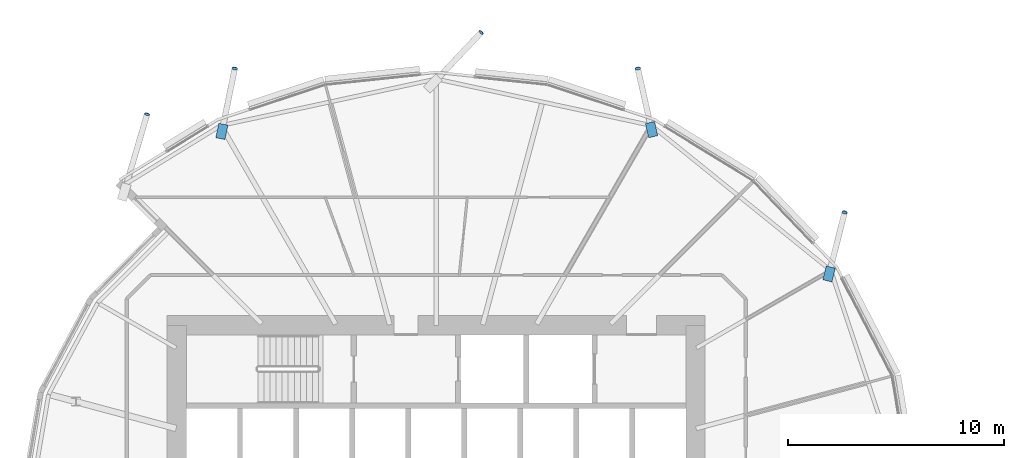
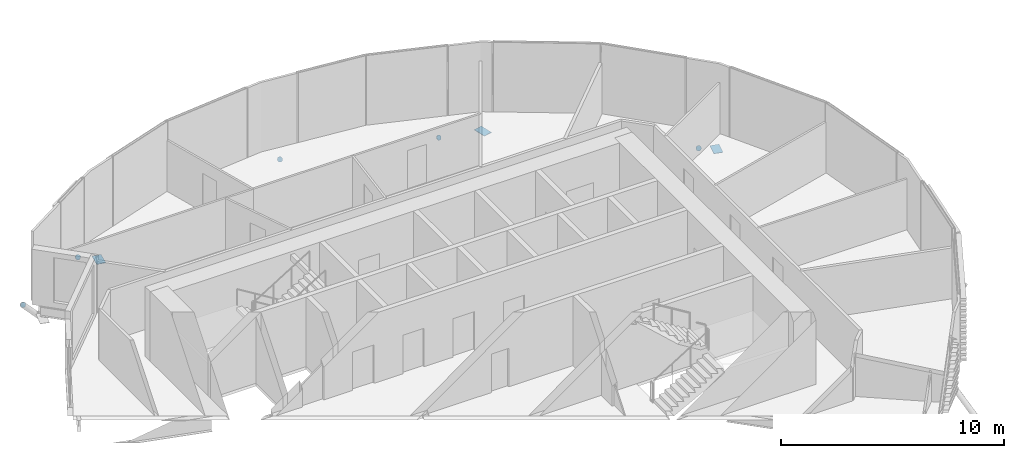
# One storey, part 28 of 36: 8 discrete accessories.
"""IFC4 building model written with IfcOpenShell, lengths in metres."""

import ifcopenshell
import ifcopenshell.guid

model = None  # the IFC model being written
_history = None  # IfcOwnerHistory: only IFC2X3 demands one
_inside = {}  # id of a spatial element -> (the spatial element, [elements in it])
_under = {}  # id of a project, library or spatial element -> (it, [spatial elements below it])
_declared = {}  # id of a project -> (the project, [libraries it declares])
_typed = {}  # id of a type object -> (the type object, [elements of that type])
_made_of = {}  # id of a material, layer set ... -> (it, [elements and type objects made of it])


def new_model(schema):
    """Start an empty IFC model of exactly this schema.

    Asked for "IFC4X3", IfcOpenShell would pick the latest addendum, in which some entities
    have other attributes; the version numbers below select the first issue.
    IFC2X3 requires an IfcOwnerHistory on every rooted entity: one is made here for all.
    """
    global model, _history
    if schema == "IFC4X3":
        model = ifcopenshell.file(schema_version=(4, 3, 0, 0))
    else:
        model = ifcopenshell.file(schema=schema)
    _inside.clear()
    _under.clear()
    _declared.clear()
    _typed.clear()
    _made_of.clear()
    _history = None
    if model.schema == "IFC2X3":
        org = make("IfcOrganization", Name="unknown")
        user = make(
            "IfcPersonAndOrganization",
            ThePerson=make("IfcPerson", FamilyName="unknown"),
            TheOrganization=org,
        )
        app = make(
            "IfcApplication",
            ApplicationDeveloper=org,
            Version="unknown",
            ApplicationFullName="unknown",
            ApplicationIdentifier="unknown",
        )
        _history = make(
            "IfcOwnerHistory",
            OwningUser=user,
            OwningApplication=app,
            ChangeAction="ADDED",
            CreationDate=0,
        )
    return model


def make(cls, **values):
    """One entity of the class cls with the attributes given. An attribute that is None is left unset."""
    return model.create_entity(
        cls, **{name: value for name, value in values.items() if value is not None}
    )


def rooted(cls, **values):
    """An entity with a GlobalId (a new one), such as an element, a storey or a relation."""
    return make(cls, GlobalId=ifcopenshell.guid.new(), OwnerHistory=_history, **values)


def si_unit(unit_type, name, prefix=None):
    """IfcSIUnit, for example si_unit("LENGTHUNIT", "METRE", prefix="MILLI")."""
    return make("IfcSIUnit", UnitType=unit_type, Prefix=prefix, Name=name)


def assignment(units):
    """IfcUnitAssignment: the units of a project."""
    return None if units is None else make("IfcUnitAssignment", Units=units)


def point(xyz):
    """IfcCartesianPoint."""
    return None if xyz is None else make("IfcCartesianPoint", Coordinates=xyz)


def direction(xyz):
    """IfcDirection."""
    return None if xyz is None else make("IfcDirection", DirectionRatios=xyz)


def frame(location, z_axis=None, x_axis=None):
    """IfcAxis2Placement3D, a coordinate frame: its origin and axes. An axis left out is left unset."""
    return make(
        "IfcAxis2Placement3D",
        Location=point(location),
        Axis=direction(z_axis),
        RefDirection=direction(x_axis),
    )


def frame_2d(location, x_axis=None):
    """IfcAxis2Placement2D, a coordinate frame in the plane: its origin and x axis."""
    return make(
        "IfcAxis2Placement2D", Location=point(location), RefDirection=direction(x_axis)
    )


def origin():
    """The frame at (0, 0, 0) with its axes left unset."""
    return frame((0.0, 0.0, 0.0))


def origin_2d():
    """The frame at (0, 0) in the plane with its x axis left unset."""
    return frame_2d((0.0, 0.0))


def place(relative_to, where):
    """IfcLocalPlacement: puts the frame where relative to a parent placement (None: the world)."""
    return make(
        "IfcLocalPlacement", PlacementRelTo=relative_to, RelativePlacement=where
    )


def context(
    kind, dimensions, precision=None, world=None, true_north=None, identifier=None
):
    """IfcGeometricRepresentationContext, for example the 3D "Model" context."""
    return make(
        "IfcGeometricRepresentationContext",
        ContextIdentifier=identifier,
        ContextType=kind,
        CoordinateSpaceDimension=dimensions,
        Precision=precision,
        WorldCoordinateSystem=world,
        TrueNorth=true_north,
    )


def subcontext(parent, identifier, kind, view, scale=None):
    """IfcGeometricRepresentationSubContext, for example "Body" below "Model"."""
    return make(
        "IfcGeometricRepresentationSubContext",
        ContextIdentifier=identifier,
        ContextType=kind,
        ParentContext=parent,
        TargetScale=scale,
        TargetView=view,
    )


def project(units=None, contexts=None):
    """IfcProject with its units and contexts."""
    return rooted(
        "IfcProject",
        Name="project",
        RepresentationContexts=contexts,
        UnitsInContext=assignment(units),
    )


def spatial(cls, under=None, at=None, **own):
    """A site, building, storey or space (cls), placed at a placement, below another one or the project."""
    s = rooted(cls, ObjectPlacement=at, **own)
    if under is not None:
        _under.setdefault(under.id(), (under, []))[1].append(s)
    return s


def polyline(points):
    """IfcPolyline through the points."""
    return make("IfcPolyline", Points=[point(p) for p in points])


def profile(cls, at=None, kind="AREA", **sizes):
    """A parametric profile (cls). Its sizes go by their IFC names, for example OverallWidth=200.0."""
    return make(cls, ProfileType=kind, Position=at, **sizes)


def rectangle(**sizes):
    """IfcRectangleProfileDef."""
    return profile("IfcRectangleProfileDef", **sizes)


def circle(**sizes):
    """IfcCircleProfileDef."""
    return profile("IfcCircleProfileDef", **sizes)


def outline(outer, holes=None, kind="AREA"):
    """IfcArbitraryClosedProfileDef: a profile drawn as a closed curve; with holes, ...WithVoids."""
    if holes is None:
        return make("IfcArbitraryClosedProfileDef", ProfileType=kind, OuterCurve=outer)
    return make(
        "IfcArbitraryProfileDefWithVoids",
        ProfileType=kind,
        OuterCurve=outer,
        InnerCurves=holes,
    )


def extrude(swept, where, along, depth):
    """IfcExtrudedAreaSolid: the profile swept, set in the frame where, extruded along a direction by depth."""
    return make(
        "IfcExtrudedAreaSolid",
        SweptArea=swept,
        Position=where,
        ExtrudedDirection=direction(along),
        Depth=depth,
    )


def shape(context_of_items, identifier, shape_type, items):
    """IfcShapeRepresentation: the items that make up one representation, for example the "Body"."""
    return make(
        "IfcShapeRepresentation",
        ContextOfItems=context_of_items,
        RepresentationIdentifier=identifier,
        RepresentationType=shape_type,
        Items=items,
    )


def material(Name=None, Category=None):
    """IfcMaterial."""
    return make("IfcMaterial", Name=Name, Category=Category)


def material_profile(
    of_material, cross_section, Name=None, Category=None, Priority=None
):
    """IfcMaterialProfile: a cross section and its material."""
    return make(
        "IfcMaterialProfile",
        Name=Name,
        Material=of_material,
        Profile=cross_section,
        Priority=Priority,
        Category=Category,
    )


def profile_set(profiles, Name=None, composite=None):
    """IfcMaterialProfileSet."""
    return make(
        "IfcMaterialProfileSet",
        Name=Name,
        MaterialProfiles=profiles,
        CompositeProfile=composite,
    )


def made_of(thing, what):
    """Note that an element or type object is made of a material, layer set ...; save() writes the relation."""
    if what is not None:
        _made_of.setdefault(what.id(), (what, []))[1].append(thing)
    return thing


def type_object(cls, material=None, **own):
    """A type object (cls), such as IfcWallType, which elements share."""
    return made_of(rooted(cls, **own), material)


def element(
    cls,
    number,
    at=None,
    inside=None,
    cuts=None,
    type_object=None,
    material=None,
    context=None,
    identifier="Body",
    shape_type=None,
    held_by="IfcProductDefinitionShape",
    body=None,
    shapes=None,
    **own,
):
    """One element of the class cls, such as IfcWall. Its Tag is "e" and its number.

    at: its placement. inside: the storey or other place that contains it. cuts: it is an
    opening in that element (IfcRelVoidsElement). A single representation is given by context,
    identifier, shape_type and body (its items); several are given by shapes. held_by: the class
    of the entity that holds the representations. save() writes the other relations.
    """
    e = rooted(cls, Tag="e%d" % number, ObjectPlacement=at, **own)
    if body is not None:
        shapes = [shape(context, identifier, shape_type, body)]
    if shapes is not None:
        e.Representation = make(held_by, Representations=shapes)
    if inside is not None:
        _inside.setdefault(inside.id(), (inside, []))[1].append(e)
    if cuts is not None:
        rooted(
            "IfcRelVoidsElement", RelatingBuildingElement=cuts, RelatedOpeningElement=e
        )
    if type_object is not None:
        _typed.setdefault(type_object.id(), (type_object, []))[1].append(e)
    return made_of(e, material)


def aggregate(whole, parts):
    """IfcRelAggregates: a whole, such as a stair, and the parts it consists of."""
    return rooted("IfcRelAggregates", RelatingObject=whole, RelatedObjects=parts)


def save(model, path):
    """Write the relations noted so far, then the file.

    IfcRelAggregates (storeys below a building ...), IfcRelContainedInSpatialStructure (elements
    in a storey), IfcRelDefinesByType, IfcRelAssociatesMaterial and IfcRelDeclares: one each for
    every whole, place, type object, material and project.
    """
    for whole, parts in _under.values():
        aggregate(whole, parts)
    for where, things in _inside.values():
        rooted(
            "IfcRelContainedInSpatialStructure",
            RelatedElements=things,
            RelatingStructure=where,
        )
    for kind, things in _typed.values():
        rooted("IfcRelDefinesByType", RelatedObjects=things, RelatingType=kind)
    for what, things in _made_of.values():
        rooted("IfcRelAssociatesMaterial", RelatedObjects=things, RelatingMaterial=what)
    for by, libraries in _declared.values():
        rooted("IfcRelDeclares", RelatingContext=by, RelatedDefinitions=libraries)
    model.write(path)


model = new_model("IFC4")

# Units and contexts
model_context = context("Model", 3, precision=1e-05, world=origin(), true_north=direction((0.0, 1.0)))
body_context = subcontext(model_context, "Body", "Model", "MODEL_VIEW")
ifc_project = project(units=[si_unit("LENGTHUNIT", "METRE"), si_unit("AREAUNIT", "SQUARE_METRE"), si_unit("VOLUMEUNIT", "CUBIC_METRE"), si_unit("PLANEANGLEUNIT", "RADIAN"), si_unit("MASSUNIT", "GRAM", prefix="KILO")], contexts=[model_context])

# Site, building, storey
site_placement = place(None, origin())
site = spatial("IfcSite", under=ifc_project, at=site_placement, CompositionType="ELEMENT")
building_placement = place(site_placement, origin())
building = spatial("IfcBuilding", under=site, at=building_placement, Name="Rimbun Link Towers", CompositionType="ELEMENT")
storey_placement = place(building_placement, frame((0.0, 0.0, 37.60009765625)))
storey = spatial("IfcBuildingStorey", under=building, at=storey_placement, Name="L08", CompositionType="ELEMENT", Elevation=37.60009765625)

# Discrete accessories
ifc_material_1 = material(Name="Steel S355J2H", Category="steel")
ifc_material_profile_1 = material_profile(ifc_material_1, circle(Radius=0.1240234375, at=origin_2d()), Name="PL D248")
ifc_profile_set_1 = profile_set([ifc_material_profile_1], Name="Steel S355J2H")
discrete_accessory_type_1 = type_object("IfcDiscreteAccessoryType", Name="Link foot sealing plate D248X20", PredefinedType="BRACKET", material=ifc_profile_set_1)
for number, where, z_axis, x_axis, name in (
    (1, (-12.8486328125, 13.218505859375, -2.505615234375), (0.208154595991, 0.808129607964, -0.550997459976), (-0.968391739894, 0.249434236033, 0.0), "Link foot sealing plate T1 L08 02"),
    (2, (-22.419921875, 19.882080078125, -2.610595703125), (-0.183281524028, 0.830876242258, -0.525407035546), (-0.976523773464, -0.215409655911, 0.0), "Link foot sealing plate T1 L08 04"),
    (3, (-29.67236328125, 21.550537109375, -2.277587890625), (0.624323401192, 0.661048307145, -0.416215600795), (-0.72701315255, 0.686623532964, 0.0), "Link foot sealing plate T1 L08 06"),
    (4, (-41.0732421875, 19.878173828125, -2.6142578125), (0.17143428362, 0.832680806153, -0.526548156832), (-0.979457043257, 0.20165292067, 0.0), "Link foot sealing plate T1 L08 08"),
    (5, (-45.132568359375, 17.76220703125, -2.516357421875), (0.25642191637, 0.86695028868, -0.427369860617), (-0.958934255811, 0.28362844186, 0.0), "Link foot sealing plate T1 L08 09"),
):
    element("IfcDiscreteAccessory", number, at=place(storey_placement, frame(where, z_axis=z_axis, x_axis=x_axis)), inside=storey, type_object=discrete_accessory_type_1, Name=name, PredefinedType="BRACKET", context=body_context, shape_type="SweptSolid", body=[
        extrude(circle(Radius=0.1240234375, at=origin_2d()), origin(), (0.0, 0.0, 1.0), 0.02001953125),
    ])
ifc_material_2 = material(Name="Steel S355J2H", Category="steel")
ifc_material_profile_2 = material_profile(ifc_material_2, rectangle(XDim=0.43310546875, YDim=0.43310546875, at=origin_2d()), Name="PL 433x433")
ifc_profile_set_2 = profile_set([ifc_material_profile_2], Name="Steel S355J2H")
discrete_accessory_type_2 = type_object("IfcDiscreteAccessoryType", Name="Link head end plate 433X20", PredefinedType="BRACKET", material=ifc_profile_set_2)
discrete_accessory_1_placement = place(storey_placement, frame((0.0, 0.0, -0.58642578125)))
element("IfcDiscreteAccessory", 6, at=discrete_accessory_1_placement, inside=storey, type_object=discrete_accessory_type_2, Name="Link head end plate T1 L08 02", PredefinedType="BRACKET", context=body_context, shape_type="SweptSolid", body=[
    extrude(outline(polyline([(-13.4375, 10.0068359375), (-13.276123046875, 10.64501953125), (-13.69580078125, 10.751220703125), (-13.857421875, 10.113037109375), (-13.4375, 10.0068359375)])), origin(), (0.0, 0.0, 1.0), 0.02001953125),
])
discrete_accessory_2_placement = place(storey_placement, frame((0.0, 0.0, -0.78271484375)))
element("IfcDiscreteAccessory", 7, at=discrete_accessory_2_placement, inside=storey, type_object=discrete_accessory_type_2, Name="Link head end plate T1 L08 04", PredefinedType="BRACKET", context=body_context, shape_type="SweptSolid", body=[
    extrude(outline(polyline([(-21.498291015625, 16.77783203125), (-21.64599609375, 17.4326171875), (-22.068359375, 17.33740234375), (-21.920654296875, 16.6826171875), (-21.498291015625, 16.77783203125)])), origin(), (0.0, 0.0, 1.0), 0.02001953125),
])
discrete_accessory_3_placement = place(storey_placement, frame((0.0, 0.0, -0.78271484375)))
element("IfcDiscreteAccessory", 8, at=discrete_accessory_3_placement, inside=storey, type_object=discrete_accessory_type_2, Name="Link head end plate T1 L08 08", PredefinedType="BRACKET", context=body_context, shape_type="SweptSolid", body=[
    extrude(outline(polyline([(-41.526123046875, 16.598388671875), (-41.389404296875, 17.263916015625), (-41.8134765625, 17.35107421875), (-41.9501953125, 16.685546875), (-41.526123046875, 16.598388671875)])), origin(), (0.0, 0.0, 1.0), 0.02001953125),
])

save(model, "model.ifc")
